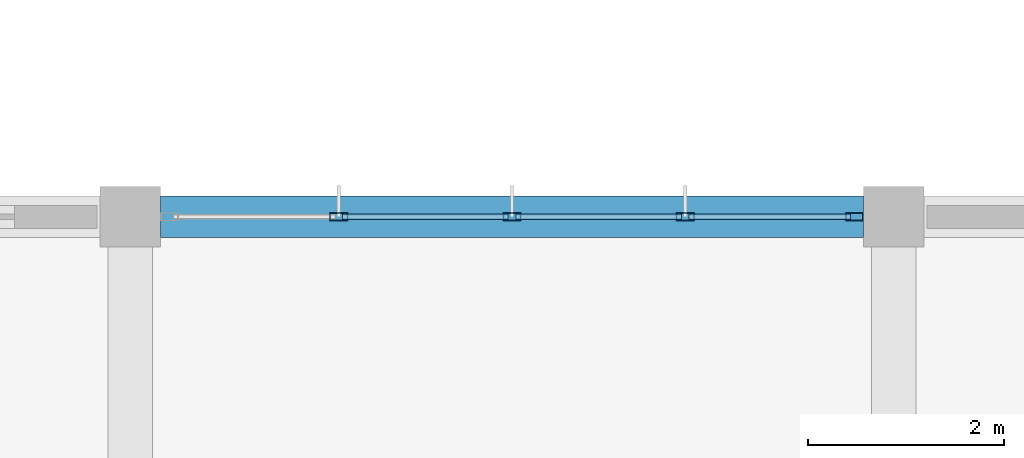
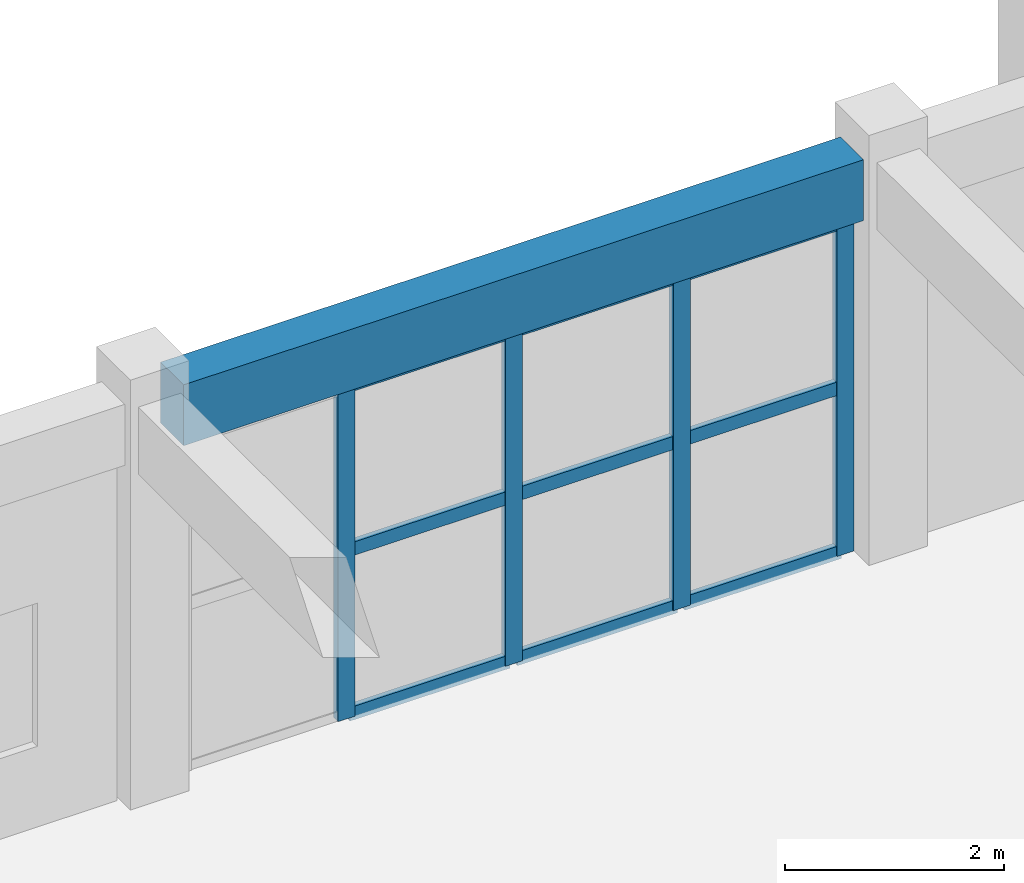
# One storey, part 112 of 167: 13 members, 1 beam, 1 element without a shape of its own.
"""IFC4 building model written with IfcOpenShell, lengths in metres."""

from ifc_helpers import new_model, si_unit, direction, frame, origin, origin_2d, place, context, subcontext, project, spatial, rectangle, hollow_rectangle, extrude, material, layer, layer_set, material_profile, profile_set, type_object, element, aggregate, save


model = new_model("IFC4")

# Units and contexts
model_context = context("Model", 3, precision=1e-05, world=origin(), true_north=direction((0.0, 1.0)))
body_context = subcontext(model_context, "Body", "Model", "MODEL_VIEW")
ifc_project = project(units=[si_unit("LENGTHUNIT", "METRE"), si_unit("AREAUNIT", "SQUARE_METRE"), si_unit("VOLUMEUNIT", "CUBIC_METRE"), si_unit("PLANEANGLEUNIT", "RADIAN"), si_unit("MASSUNIT", "GRAM", prefix="KILO")], contexts=[model_context])

# Site, building, storey
site_placement = place(None, origin())
site = spatial("IfcSite", under=ifc_project, at=site_placement, CompositionType="ELEMENT")
building_placement = place(site_placement, origin())
building = spatial("IfcBuilding", under=site, at=building_placement, Name="Zizhar Promenade General Hospital", CompositionType="ELEMENT")
storey_placement = place(building_placement, frame((0.0, 0.0, 9.60009765625)))
storey = spatial("IfcBuildingStorey", under=building, at=storey_placement, Name="L02", CompositionType="ELEMENT", Elevation=9.60009765625)

# Beam
ifc_material_1 = material(Name="Concrete C35/45", Category="concrete")
ifc_material_profile_1 = material_profile(ifc_material_1, rectangle(XDim=0.419921875, YDim=0.679931640625, at=origin_2d()))
ifc_profile_set_1 = profile_set([ifc_material_profile_1], Name="Concrete C35/45")
beam_type = type_object("IfcBeamType", Name="BM-RC-420x680", PredefinedType="JOIST", material=ifc_profile_set_1)
beam_placement = place(storey_placement, frame((171.909912109375, 109.199951171875, 4.1298828125), z_axis=(1.0, 0.0, 0.0), x_axis=(0.0, 1.0, 0.0)))
element("IfcBeam", 1, at=beam_placement, inside=storey, type_object=beam_type, Name="Grid Beam X L02 (22-13)", PredefinedType="JOIST", context=body_context, shape_type="SweptSolid", body=[
    extrude(rectangle(XDim=0.419921875, YDim=0.679931640625, at=origin_2d()), origin(), (0.0, 0.0, 1.0), 7.18017578125),
])

# Curtain wall, members
ifc_material_2 = material(Name="Anodised aluminium 6063-T6 and low-E glass", Category="aluminium")
ifc_layer = layer(ifc_material_2, 0.159912109375)
ifc_layer_set = layer_set([ifc_layer], Name="Anodised aluminium 6063-T6 and low-E glass")
curtain_wall_type = type_object("IfcCurtainWallType", Name="CW-CLN-EXT", PredefinedType="NOTDEFINED", material=ifc_layer_set)
curtain_wall_placement = place(storey_placement, origin())
curtain_wall = element("IfcCurtainWall", 2, at=curtain_wall_placement, inside=storey, type_object=curtain_wall_type, Name="Outpatient North Curtain Wall L02-22", PredefinedType="NOTDEFINED")
ifc_material_3 = material(Name="Anodised aluminium 6063-T6", Category="aluminium")
ifc_material_profile_2 = material_profile(ifc_material_3, hollow_rectangle(XDim=0.080078125, YDim=0.179931640625, WallThickness=0.0048828125, at=origin_2d()))
ifc_profile_set_2 = profile_set([ifc_material_profile_2], Name="Anodised aluminium 6063-T6")
member_type_1 = type_object("IfcMemberType", Name="CWM-ALU-180x80", PredefinedType="MULLION", material=ifc_profile_set_2)
member_1_placement = place(storey_placement, frame((173.72998046875, 109.199951171875, 0.0), z_axis=(0.0, 0.0, 1.0), x_axis=(0.0, 1.0, 0.0)))
member_1 = element("IfcMember", 3, at=member_1_placement, type_object=member_type_1, Name="CW-09 mullion 2", PredefinedType="MULLION", context=body_context, shape_type="SweptSolid", body=[
    extrude(hollow_rectangle(XDim=0.080078125, YDim=0.179931640625, WallThickness=0.0048828125, at=origin_2d()), origin(), (0.0, 0.0, 1.0), 3.72998046875),
])
member_2_placement = place(storey_placement, frame((175.5, 109.199951171875, 0.0), z_axis=(0.0, 0.0, 1.0), x_axis=(0.0, 1.0, 0.0)))
member_2 = element("IfcMember", 4, at=member_2_placement, type_object=member_type_1, Name="CW-09 mullion 3", PredefinedType="MULLION", context=body_context, shape_type="SweptSolid", body=[
    extrude(hollow_rectangle(XDim=0.080078125, YDim=0.179931640625, WallThickness=0.0048828125, at=origin_2d()), origin(), (0.0, 0.0, 1.0), 3.72998046875),
])
member_3_placement = place(storey_placement, frame((177.27001953125, 109.199951171875, 0.0), z_axis=(0.0, 0.0, 1.0), x_axis=(0.0, 1.0, 0.0)))
member_3 = element("IfcMember", 5, at=member_3_placement, type_object=member_type_1, Name="CW-09 mullion 4", PredefinedType="MULLION", context=body_context, shape_type="SweptSolid", body=[
    extrude(hollow_rectangle(XDim=0.080078125, YDim=0.179931640625, WallThickness=0.0048828125, at=origin_2d()), origin(), (0.0, 0.0, 1.0), 3.72998046875),
])
member_4_placement = place(storey_placement, frame((179.0, 109.199951171875, 0.0), z_axis=(0.0, 0.0, 1.0), x_axis=(0.0, 1.0, 0.0)))
member_4 = element("IfcMember", 6, at=member_4_placement, type_object=member_type_1, Name="CW-09 mullion 5", PredefinedType="MULLION", context=body_context, shape_type="SweptSolid", body=[
    extrude(hollow_rectangle(XDim=0.080078125, YDim=0.179931640625, WallThickness=0.0048828125, at=origin_2d()), origin(), (0.0, 0.0, 1.0), 3.72998046875),
])
ifc_material_4 = material(Name="Anodised aluminium 6063-T6", Category="aluminium")
ifc_material_profile_3 = material_profile(ifc_material_4, hollow_rectangle(XDim=0.06005859375, YDim=0.14990234375, WallThickness=0.00390625, at=origin_2d()))
ifc_profile_set_3 = profile_set([ifc_material_profile_3], Name="Anodised aluminium 6063-T6")
member_type_2 = type_object("IfcMemberType", Name="CWT-ALU-150x60", PredefinedType="USERDEFINED", material=ifc_profile_set_3)
member_5_placement = place(storey_placement, frame((173.77001953125, 109.199951171875, 0.02978515625), z_axis=(1.0, 0.0, 0.0), x_axis=(0.0, 1.0, 0.0)))
member_5 = element("IfcMember", 7, at=member_5_placement, type_object=member_type_2, Name="CW-09 transom 2.1", ObjectType="TRANSOM", PredefinedType="USERDEFINED", context=body_context, shape_type="SweptSolid", body=[
    extrude(hollow_rectangle(XDim=0.06005859375, YDim=0.14990234375, WallThickness=0.00390625, at=origin_2d()), origin(), (0.0, 0.0, 1.0), 1.68994140625),
])
member_6_placement = place(storey_placement, frame((173.77001953125, 109.199951171875, 1.864990234375), z_axis=(1.0, 0.0, 0.0), x_axis=(0.0, 1.0, 0.0)))
member_6 = element("IfcMember", 8, at=member_6_placement, type_object=member_type_2, Name="CW-09 transom 2.2", ObjectType="TRANSOM", PredefinedType="USERDEFINED", context=body_context, shape_type="SweptSolid", body=[
    extrude(hollow_rectangle(XDim=0.06005859375, YDim=0.14990234375, WallThickness=0.00390625, at=origin_2d()), origin(), (0.0, 0.0, 1.0), 1.68994140625),
])
member_7_placement = place(storey_placement, frame((173.77001953125, 109.199951171875, 3.699951171875), z_axis=(1.0, 0.0, 0.0), x_axis=(0.0, 1.0, 0.0)))
member_7 = element("IfcMember", 9, at=member_7_placement, type_object=member_type_2, Name="CW-09 transom 2.3", ObjectType="TRANSOM", PredefinedType="USERDEFINED", context=body_context, shape_type="SweptSolid", body=[
    extrude(hollow_rectangle(XDim=0.06005859375, YDim=0.14990234375, WallThickness=0.00390625, at=origin_2d()), origin(), (0.0, 0.0, 1.0), 1.68994140625),
])
member_8_placement = place(storey_placement, frame((175.5400390625, 109.199951171875, 0.02978515625), z_axis=(1.0, 0.0, 0.0), x_axis=(0.0, 1.0, 0.0)))
member_8 = element("IfcMember", 10, at=member_8_placement, type_object=member_type_2, Name="CW-09 transom 3.1", ObjectType="TRANSOM", PredefinedType="USERDEFINED", context=body_context, shape_type="SweptSolid", body=[
    extrude(hollow_rectangle(XDim=0.06005859375, YDim=0.14990234375, WallThickness=0.00390625, at=origin_2d()), origin(), (0.0, 0.0, 1.0), 1.68994140625),
])
member_9_placement = place(storey_placement, frame((175.5400390625, 109.199951171875, 1.864990234375), z_axis=(1.0, 0.0, 0.0), x_axis=(0.0, 1.0, 0.0)))
member_9 = element("IfcMember", 11, at=member_9_placement, type_object=member_type_2, Name="CW-09 transom 3.2", ObjectType="TRANSOM", PredefinedType="USERDEFINED", context=body_context, shape_type="SweptSolid", body=[
    extrude(hollow_rectangle(XDim=0.06005859375, YDim=0.14990234375, WallThickness=0.00390625, at=origin_2d()), origin(), (0.0, 0.0, 1.0), 1.68994140625),
])
member_10_placement = place(storey_placement, frame((175.5400390625, 109.199951171875, 3.699951171875), z_axis=(1.0, 0.0, 0.0), x_axis=(0.0, 1.0, 0.0)))
member_10 = element("IfcMember", 12, at=member_10_placement, type_object=member_type_2, Name="CW-09 transom 3.3", ObjectType="TRANSOM", PredefinedType="USERDEFINED", context=body_context, shape_type="SweptSolid", body=[
    extrude(hollow_rectangle(XDim=0.06005859375, YDim=0.14990234375, WallThickness=0.00390625, at=origin_2d()), origin(), (0.0, 0.0, 1.0), 1.68994140625),
])
member_11_placement = place(storey_placement, frame((177.31005859375, 109.199951171875, 0.02978515625), z_axis=(1.0, 0.0, 0.0), x_axis=(0.0, 1.0, 0.0)))
member_11 = element("IfcMember", 13, at=member_11_placement, type_object=member_type_2, Name="CW-09 transom 4.1", ObjectType="TRANSOM", PredefinedType="USERDEFINED", context=body_context, shape_type="SweptSolid", body=[
    extrude(hollow_rectangle(XDim=0.06005859375, YDim=0.14990234375, WallThickness=0.00390625, at=origin_2d()), origin(), (0.0, 0.0, 1.0), 1.64990234375),
])
member_12_placement = place(storey_placement, frame((177.31005859375, 109.199951171875, 1.864990234375), z_axis=(1.0, 0.0, 0.0), x_axis=(0.0, 1.0, 0.0)))
member_12 = element("IfcMember", 14, at=member_12_placement, type_object=member_type_2, Name="CW-09 transom 4.2", ObjectType="TRANSOM", PredefinedType="USERDEFINED", context=body_context, shape_type="SweptSolid", body=[
    extrude(hollow_rectangle(XDim=0.06005859375, YDim=0.14990234375, WallThickness=0.00390625, at=origin_2d()), origin(), (0.0, 0.0, 1.0), 1.64990234375),
])
member_13_placement = place(storey_placement, frame((177.31005859375, 109.199951171875, 3.699951171875), z_axis=(1.0, 0.0, 0.0), x_axis=(0.0, 1.0, 0.0)))
member_13 = element("IfcMember", 15, at=member_13_placement, type_object=member_type_2, Name="CW-09 transom 4.3", ObjectType="TRANSOM", PredefinedType="USERDEFINED", context=body_context, shape_type="SweptSolid", body=[
    extrude(hollow_rectangle(XDim=0.06005859375, YDim=0.14990234375, WallThickness=0.00390625, at=origin_2d()), origin(), (0.0, 0.0, 1.0), 1.64990234375),
])
aggregate(curtain_wall, [member_1, member_2, member_3, member_4, member_5, member_6, member_7, member_8, member_9, member_10, member_11, member_12, member_13])

save(model, "model.ifc")
